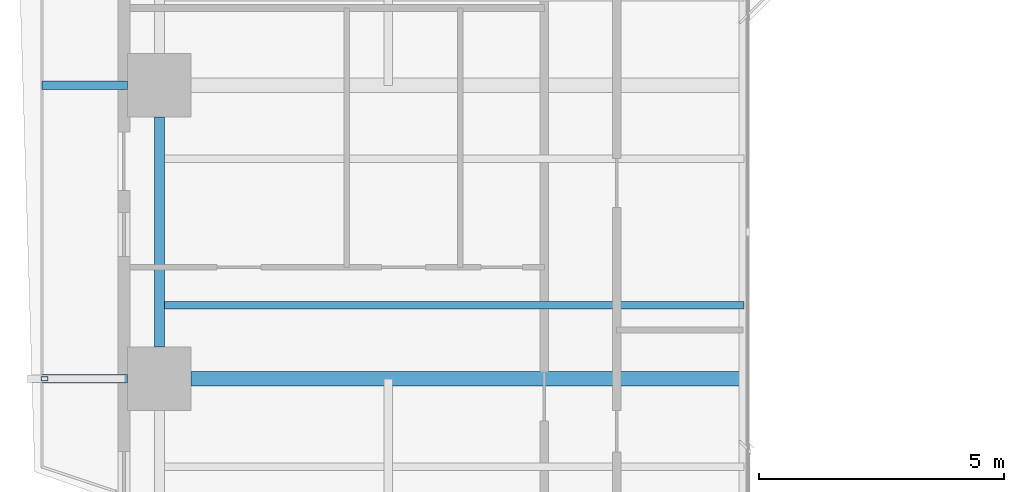
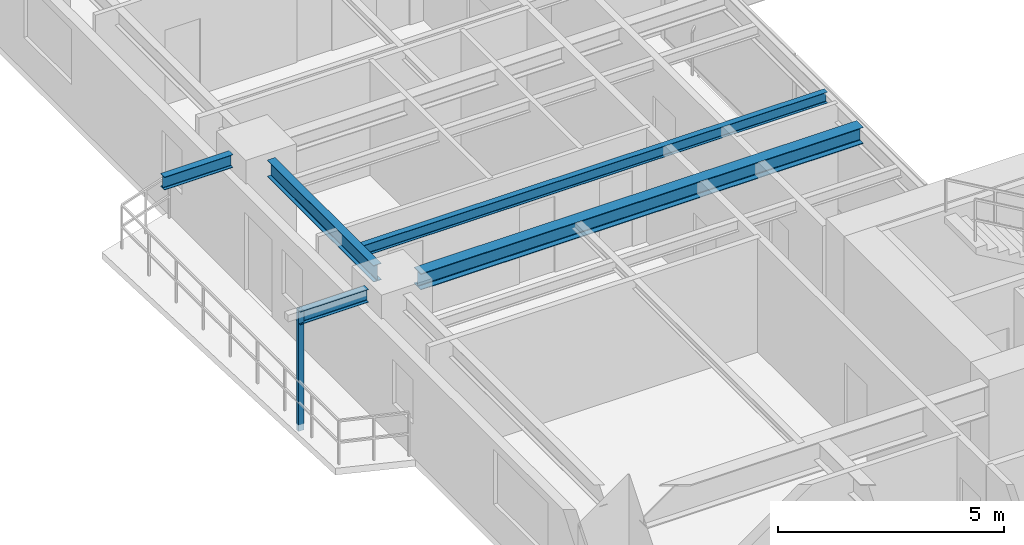
# One storey, part 3 of 23: 5 beams, 1 member.
"""IFC4 building model written with IfcOpenShell, lengths in metres."""

from ifc_helpers import new_model, si_unit, direction, frame, origin, origin_2d, place, context, subcontext, project, spatial, hollow_rectangle, i_section, extrude, source, transform, mapped, material, material_profile, profile_set, type_object, element, save


model = new_model("IFC4")

# Units and contexts
model_context = context("Model", 3, precision=1e-05, world=origin(), true_north=direction((0.0, 1.0)))
body_context = subcontext(model_context, "Body", "Model", "MODEL_VIEW")
ifc_project = project(units=[si_unit("LENGTHUNIT", "METRE"), si_unit("AREAUNIT", "SQUARE_METRE"), si_unit("VOLUMEUNIT", "CUBIC_METRE"), si_unit("PLANEANGLEUNIT", "RADIAN"), si_unit("MASSUNIT", "GRAM", prefix="KILO"), si_unit("THERMODYNAMICTEMPERATUREUNIT", "KELVIN"), si_unit("POWERUNIT", "WATT")], contexts=[model_context])

# Site, building, storey
site_placement = place(None, origin())
site = spatial("IfcSite", under=ifc_project, at=site_placement, CompositionType="ELEMENT")
building_placement = place(site_placement, origin())
building = spatial("IfcBuilding", under=site, at=building_placement, Name="Qiaomeng Ring Towers", CompositionType="ELEMENT")
storey_placement = place(building_placement, frame((0.0, 0.0, 39.25)))
storey = spatial("IfcBuildingStorey", under=building, at=storey_placement, Name="L10", CompositionType="ELEMENT", Elevation=39.25)

# Beams
ifc_material_1 = material(Name="Steel Q355B", Category="steel")
ifc_material_profile_1 = material_profile(ifc_material_1, i_section(OverallWidth=0.199951171875, OverallDepth=0.449951171875, WebThickness=0.009033203125, FlangeThickness=0.013916015625, FilletRadius=0.01806640625, at=origin_2d()), Name="HN 450x200x9x14")
ifc_profile_set_1 = profile_set([ifc_material_profile_1], Name="Steel Q355B")
beam_type_1 = type_object("IfcBeamType", Name="STR-BM-HN450", PredefinedType="SPANDREL", material=ifc_profile_set_1)
shared_shape_1 = source(origin(), body_context, "Body", "SweptSolid", [
    extrude(i_section(OverallWidth=0.199951171875, OverallDepth=0.449951171875, WebThickness=0.009033203125, FlangeThickness=0.013916015625, FilletRadius=0.01806640625, at=origin_2d()), origin(), (0.0, 0.0, 1.0), 4.7021484375),
])
beam_1_placement = place(storey_placement, frame((0.85009765625, 25.35107421875, 2.844970703125), z_axis=(0.0, -1.0, 0.0), x_axis=(1.0, 0.0, 0.0)))
element("IfcBeam", 1, at=beam_1_placement, inside=storey, type_object=beam_type_1, Name="L10 beam STR-SP-L10-T1-W3-W2", PredefinedType="SPANDREL", context=body_context, shape_type="MappedRepresentation", body=[
    mapped(shared_shape_1, transform((0.0, 0.0, 0.0), x_axis=(1.0, 0.0, 0.0), y_axis=(0.0, 1.0, 0.0), z_axis=(0.0, 0.0, 1.0), scale=1.0)),
])
ifc_material_profile_2 = material_profile(ifc_material_1, i_section(OverallWidth=0.300048828125, OverallDepth=0.43994140625, WebThickness=0.010986328125, FlangeThickness=0.01806640625, FilletRadius=0.02392578125, at=origin_2d()), Name="HM 440x300x11x18")
ifc_profile_set_2 = profile_set([ifc_material_profile_2], Name="Steel Q355B")
beam_type_2 = type_object("IfcBeamType", Name="STR-BM-HM440", PredefinedType="BEAM", material=ifc_profile_set_2)
shared_shape_2 = source(origin(), body_context, "Body", "SweptSolid", [
    extrude(i_section(OverallWidth=0.300048828125, OverallDepth=0.43994140625, WebThickness=0.010986328125, FlangeThickness=0.01806640625, FilletRadius=0.02392578125, at=origin_2d()), origin(), (0.0, 0.0, 1.0), 11.301025390625),
])
beam_2_placement = place(storey_placement, frame((1.4990234375, 20.0, 2.85009765625), z_axis=(1.0, 0.0, 0.0), x_axis=(0.0, 1.0, 0.0)))
element("IfcBeam", 2, at=beam_2_placement, inside=storey, type_object=beam_type_2, Name="L10 beam STR-BM-L10-T1-RAD-W2", PredefinedType="BEAM", context=body_context, shape_type="MappedRepresentation", body=[
    mapped(shared_shape_2, transform((0.0, 0.0, 0.0), x_axis=(1.0, 0.0, 0.0), y_axis=(0.0, 1.0, 0.0), z_axis=(0.0, 0.0, 1.0), scale=1.0)),
])
ifc_material_profile_3 = material_profile(ifc_material_1, i_section(OverallWidth=0.175048828125, OverallDepth=0.35009765625, WebThickness=0.007080078125, FlangeThickness=0.010986328125, FilletRadius=0.013916015625, at=origin_2d()), Name="HN 350x175x7x11")
ifc_profile_set_3 = profile_set([ifc_material_profile_3], Name="Steel Q355B")
beam_type_3 = type_object("IfcBeamType", Name="STR-BM-HN350", PredefinedType="JOIST", material=ifc_profile_set_3)
shared_shape_3 = source(origin(), body_context, "Body", "SweptSolid", [
    extrude(i_section(OverallWidth=0.175048828125, OverallDepth=0.35009765625, WebThickness=0.007080078125, FlangeThickness=0.010986328125, FilletRadius=0.013916015625, at=origin_2d()), origin(), (0.0, 0.0, 1.0), 1.7509765625),
])
for number, where, z_axis, x_axis, name in (
    (3, (-1.550048828125, 20.0, 2.89501953125), (1.0, 0.0, 0.0), (0.0, 1.0, 0.0), "L10 beam STR-BALBM-L10-W2"),
    (4, (-1.550048828125, 26.0, 2.89501953125), (1.0, 0.0, 0.0), (0.0, 1.0, 0.0), "L10 beam STR-BALBM-L10-W3"),
):
    element("IfcBeam", number, at=place(storey_placement, frame(where, z_axis=z_axis, x_axis=x_axis)), inside=storey, type_object=beam_type_3, Name=name, PredefinedType="JOIST", context=body_context, shape_type="MappedRepresentation", body=[
        mapped(shared_shape_3, transform((0.0, 0.0, 0.0), x_axis=(1.0, 0.0, 0.0), y_axis=(0.0, 1.0, 0.0), z_axis=(0.0, 0.0, 1.0), scale=1.0)),
    ])
ifc_material_profile_4 = material_profile(ifc_material_1, i_section(OverallWidth=0.14990234375, OverallDepth=0.300048828125, WebThickness=0.006591796875, FlangeThickness=0.009033203125, FilletRadius=0.012939453125, at=origin_2d()), Name="HN 300x150x6.5x9")
ifc_profile_set_4 = profile_set([ifc_material_profile_4], Name="Steel Q355B")
beam_type_4 = type_object("IfcBeamType", Name="STR-BM-HN300", PredefinedType="JOIST", material=ifc_profile_set_4)
shared_shape_4 = source(origin(), body_context, "Body", "SweptSolid", [
    extrude(i_section(OverallWidth=0.14990234375, OverallDepth=0.300048828125, WebThickness=0.006591796875, FlangeThickness=0.009033203125, FilletRadius=0.012939453125, at=origin_2d()), origin(), (0.0, 0.0, 1.0), 11.949951171875),
])
beam_3_placement = place(storey_placement, frame((0.85009765625, 21.5, 2.919921875), z_axis=(1.0, 0.0, 0.0), x_axis=(0.0, 1.0, 0.0)))
element("IfcBeam", 5, at=beam_3_placement, inside=storey, type_object=beam_type_4, Name="L10 beam STR-JST-L10-T1W-2", PredefinedType="JOIST", context=body_context, shape_type="MappedRepresentation", body=[
    mapped(shared_shape_4, transform((0.0, 0.0, 0.0), x_axis=(1.0, 0.0, 0.0), y_axis=(0.0, 1.0, 0.0), z_axis=(0.0, 0.0, 1.0), scale=1.0)),
])

# Member
ifc_material_2 = material(Name="Stainless steel 316", Category="steel")
ifc_material_profile_5 = material_profile(ifc_material_2, hollow_rectangle(XDim=0.090087890625, YDim=0.139892578125, WallThickness=0.0048828125, at=origin_2d()), Name="SS TRELLIS 90x140")
ifc_profile_set_5 = profile_set([ifc_material_profile_5], Name="Stainless steel 316")
member_type = type_object("IfcMemberType", Name="ARC-TR-POST1", PredefinedType="STUD", material=ifc_profile_set_5)
shared_shape_5 = source(origin(), body_context, "Body", "SweptSolid", [
    extrude(hollow_rectangle(XDim=0.090087890625, YDim=0.139892578125, WallThickness=0.0048828125, at=origin_2d()), origin(), (0.0, 0.0, 1.0), 3.25),
])
member_placement = place(storey_placement, frame((-1.5, 20.0, -0.179931640625), z_axis=(0.0, 0.0, 1.0), x_axis=(0.0, 1.0, 0.0)))
element("IfcMember", 6, at=member_placement, inside=storey, type_object=member_type, Name="L10 Outer Ventilated Trellis Post W", PredefinedType="STUD", context=body_context, shape_type="MappedRepresentation", body=[
    mapped(shared_shape_5, transform((0.0, 0.0, 0.0), x_axis=(1.0, 0.0, 0.0), y_axis=(0.0, 1.0, 0.0), z_axis=(0.0, 0.0, 1.0), scale=1.0)),
])

save(model, "model.ifc")
